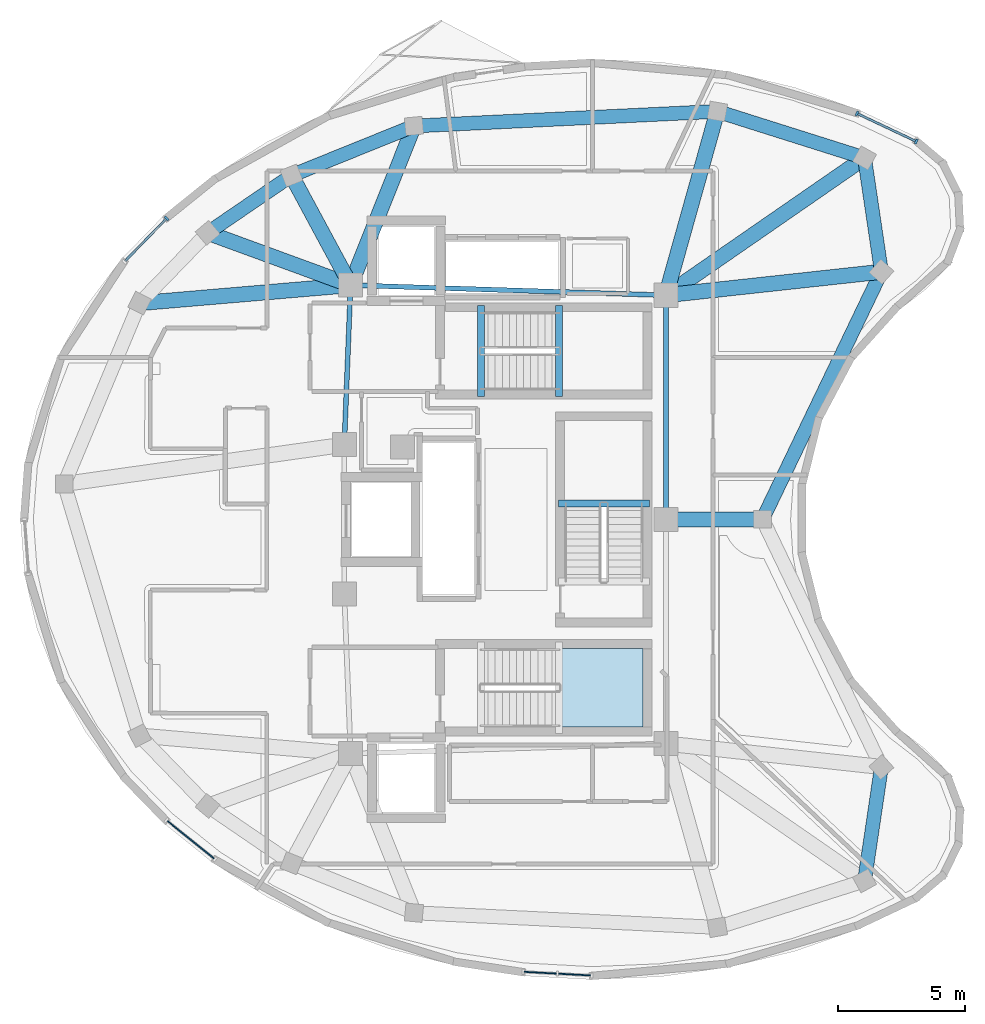
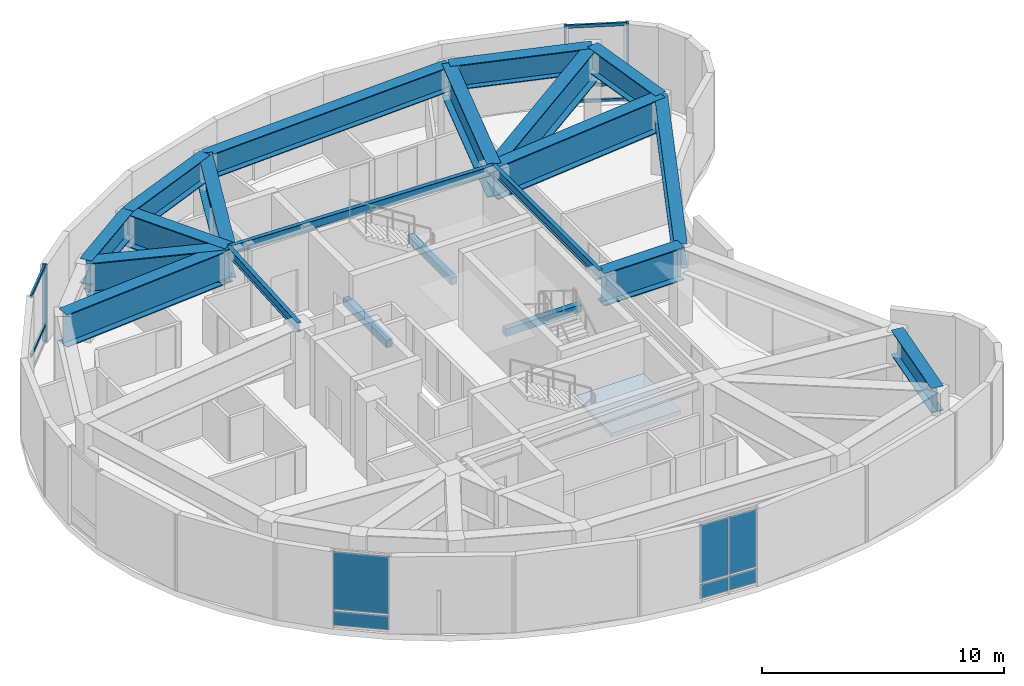
# One storey, part 2 of 8: 21 beams, 8 members, 6 plates, 1 slab, 5 elements without a shape of their own.
"""IFC4 building model written with IfcOpenShell, lengths in metres."""

from ifc_helpers import new_model, si_unit, direction, frame, origin, origin_2d, place, context, subcontext, project, spatial, polyline, rectangle, i_section, outline, extrude, material, layer, layer_set, material_profile, profile_set, type_object, element, aggregate, save


model = new_model("IFC4")

# Units and contexts
model_context = context("Model", 3, precision=1e-05, world=origin(), true_north=direction((0.0, 1.0)))
body_context = subcontext(model_context, "Body", "Model", "MODEL_VIEW")
ifc_project = project(units=[si_unit("LENGTHUNIT", "METRE"), si_unit("AREAUNIT", "SQUARE_METRE"), si_unit("VOLUMEUNIT", "CUBIC_METRE"), si_unit("PLANEANGLEUNIT", "RADIAN"), si_unit("MASSUNIT", "GRAM", prefix="KILO")], contexts=[model_context])

# Site, building, storey
site_placement = place(None, origin())
site = spatial("IfcSite", under=ifc_project, at=site_placement, CompositionType="ELEMENT")
building_placement = place(site_placement, origin())
building = spatial("IfcBuilding", under=site, at=building_placement, Name="Korentha Bioscience Tower", CompositionType="ELEMENT")
storey_placement = place(building_placement, frame((0.0, 0.0, 314.39990234375)))
storey = spatial("IfcBuildingStorey", under=building, at=storey_placement, Name="L72", CompositionType="ELEMENT", Elevation=314.39990234375)

# Beams
ifc_material_1 = material(Name="Concrete C50", Category="concrete")
ifc_material_profile_1 = material_profile(ifc_material_1, rectangle(XDim=0.280029296875, YDim=0.3798828125, at=origin_2d()), Name="Concrete C50")
ifc_profile_set_1 = profile_set([ifc_material_profile_1], Name="Concrete C50 (ST-HB380)")
beam_type_1 = type_object("IfcBeamType", Name="Concrete Stair Header Beam RC 280x380", PredefinedType="BEAM", material=ifc_profile_set_1)
for number, where, z_axis, x_axis, name in (
    (1, (30.25, 31.85009765625, -0.18994140625), (0.0, 1.0, 0.0), (-1.0, 0.0, 0.0), "L72 ST-1 Concrete Stair Header Beam"),
    (2, (33.330078125, 31.85009765625, 1.91015625), (0.0, 1.0, 0.0), (-1.0, 0.0, 0.0), "L72 ST-1 Half-Landing Header Beam 1"),
    (3, (36.89990234375, 27.6298828125, 1.91015625), (-1.0, 0.0, 0.0), (0.0, -1.0, 0.0), "L72 ST-3 Half-Landing Header Beam 1"),
):
    element("IfcBeam", number, at=place(storey_placement, frame(where, z_axis=z_axis, x_axis=x_axis)), inside=storey, type_object=beam_type_1, Name=name, PredefinedType="BEAM", context=body_context, shape_type="SweptSolid", body=[
        extrude(rectangle(XDim=0.280029296875, YDim=0.3798828125, at=origin_2d()), origin(), (0.0, 0.0, 1.0), 3.599853515625),
    ])
ifc_material_2 = material(Name="Steel S355", Category="steel")
ifc_material_profile_2 = material_profile(ifc_material_2, i_section(OverallWidth=0.550048828125, OverallDepth=1.25, WebThickness=0.02392578125, FlangeThickness=0.0400390625, at=origin_2d()), Name="Steel S355")
ifc_profile_set_2 = profile_set([ifc_material_profile_2], Name="Steel S355 (TG-03)")
beam_type_2 = type_object("IfcBeamType", Name="Crown Step Transfer Girder CVS 1250x510", PredefinedType="USERDEFINED", material=ifc_profile_set_2)
beam_1_placement = place(storey_placement, frame((45.393310546875, 41.273681640625, 3.275146484375), z_axis=(-0.953502720539, 0.301384408895, 0.0), x_axis=(-0.301384408895, -0.953502720539, 0.0)))
element("IfcBeam", 4, at=beam_1_placement, inside=storey, type_object=beam_type_2, Name="L72 Perimeter Spandrel Girder 01", ObjectType="TRANSFER_GIRDER", PredefinedType="USERDEFINED", context=body_context, shape_type="SweptSolid", body=[
    extrude(i_section(OverallWidth=0.550048828125, OverallDepth=1.25, WebThickness=0.02392578125, FlangeThickness=0.0400390625, at=origin_2d()), origin(), (0.0, 0.0, 1.0), 6.094970703125),
])
beam_2_placement = place(storey_placement, frame((39.581787109375, 43.110595703125, 3.275146484375), z_axis=(-0.998842480099, -0.04810093502, 0.0), x_axis=(0.04810093502, -0.998842480099, 0.0)))
element("IfcBeam", 5, at=beam_2_placement, inside=storey, type_object=beam_type_2, Name="L72 Perimeter Spandrel Girder 02", ObjectType="TRANSFER_GIRDER", PredefinedType="USERDEFINED", context=body_context, shape_type="SweptSolid", body=[
    extrude(i_section(OverallWidth=0.550048828125, OverallDepth=1.25, WebThickness=0.02392578125, FlangeThickness=0.0400390625, at=origin_2d()), origin(), (0.0, 0.0, 1.0), 11.99365234375),
])
beam_3_placement = place(storey_placement, frame((27.60205078125, 42.53369140625, 3.275146484375), z_axis=(-0.92709518526, -0.374825982913, 0.0), x_axis=(0.374825982913, -0.92709518526, 0.0)))
element("IfcBeam", 6, at=beam_3_placement, inside=storey, type_object=beam_type_2, Name="L72 Perimeter Spandrel Girder 03", ObjectType="TRANSFER_GIRDER", PredefinedType="USERDEFINED", context=body_context, shape_type="SweptSolid", body=[
    extrude(i_section(OverallWidth=0.550048828125, OverallDepth=1.25, WebThickness=0.02392578125, FlangeThickness=0.0400390625, at=origin_2d()), origin(), (0.0, 0.0, 1.0), 5.216064453125),
])
beam_4_placement = place(storey_placement, frame((22.766357421875, 40.57861328125, 3.275146484375), z_axis=(-0.825502824703, -0.564397985828, 0.0), x_axis=(0.564397985828, -0.825502824703, 0.0)))
element("IfcBeam", 7, at=beam_4_placement, inside=storey, type_object=beam_type_2, Name="L72 Perimeter Spandrel Girder 04", ObjectType="TRANSFER_GIRDER", PredefinedType="USERDEFINED", context=body_context, shape_type="SweptSolid", body=[
    extrude(i_section(OverallWidth=0.550048828125, OverallDepth=1.25, WebThickness=0.02392578125, FlangeThickness=0.0400390625, at=origin_2d()), origin(), (0.0, 0.0, 1.0), 4.01025390625),
])
beam_5_placement = place(storey_placement, frame((45.393310546875, 12.726318359375, 3.275146484375), z_axis=(0.146840630252, 0.989160163627, 0.0), x_axis=(-0.989160163627, 0.146840630252, 0.0)))
element("IfcBeam", 8, at=beam_5_placement, inside=storey, type_object=beam_type_2, Name="L72 Perimeter Spandrel Girder 13", ObjectType="TRANSFER_GIRDER", PredefinedType="USERDEFINED", context=body_context, shape_type="SweptSolid", body=[
    extrude(i_section(OverallWidth=0.550048828125, OverallDepth=1.25, WebThickness=0.02392578125, FlangeThickness=0.0400390625, at=origin_2d()), origin(), (0.0, 0.0, 1.0), 4.545654296875),
])
beam_6_placement = place(storey_placement, frame((41.36572265625, 27.0, 3.275146484375), z_axis=(0.432876684637, 0.901453146812, 0.0), x_axis=(-0.901453146812, 0.432876684637, 0.0)))
element("IfcBeam", 9, at=beam_6_placement, inside=storey, type_object=beam_type_2, Name="L72 Perimeter Spandrel Girder 15", ObjectType="TRANSFER_GIRDER", PredefinedType="USERDEFINED", context=body_context, shape_type="SweptSolid", body=[
    extrude(i_section(OverallWidth=0.550048828125, OverallDepth=1.25, WebThickness=0.02392578125, FlangeThickness=0.0400390625, at=origin_2d()), origin(), (0.0, 0.0, 1.0), 10.84619140625),
])
beam_7_placement = place(storey_placement, frame((46.060791015625, 36.77734375, 3.275146484375), z_axis=(-0.146840630252, 0.989160163627, 0.0), x_axis=(-0.989160163627, -0.146840630252, 0.0)))
element("IfcBeam", 10, at=beam_7_placement, inside=storey, type_object=beam_type_2, Name="L72 Perimeter Spandrel Girder 16", ObjectType="TRANSFER_GIRDER", PredefinedType="USERDEFINED", context=body_context, shape_type="SweptSolid", body=[
    extrude(i_section(OverallWidth=0.550048828125, OverallDepth=1.25, WebThickness=0.02392578125, FlangeThickness=0.0400390625, at=origin_2d()), origin(), (0.0, 0.0, 1.0), 4.545654296875),
])
ifc_material_profile_3 = material_profile(ifc_material_2, i_section(OverallWidth=0.60009765625, OverallDepth=1.64990234375, WebThickness=0.02587890625, FlangeThickness=0.0439453125, at=origin_2d()), Name="Steel S355")
ifc_profile_set_3 = profile_set([ifc_material_profile_3], Name="Steel S355 (TG-04)")
beam_type_3 = type_object("IfcBeamType", Name="Deep Setback Transfer Girder CVS 1650x620", PredefinedType="USERDEFINED", material=ifc_profile_set_3)
beam_8_placement = place(storey_placement, frame((37.550048828125, 35.85009765625, 3.0751953125), z_axis=(0.822504520154, 0.56875857297, 0.0), x_axis=(-0.56875857297, 0.822504520154, 0.0)))
element("IfcBeam", 11, at=beam_8_placement, inside=storey, type_object=beam_type_3, Name="L72 Radial Transfer Girder 01", ObjectType="TRANSFER_GIRDER", PredefinedType="USERDEFINED", context=body_context, shape_type="SweptSolid", body=[
    extrude(i_section(OverallWidth=0.60009765625, OverallDepth=1.64990234375, WebThickness=0.02587890625, FlangeThickness=0.0439453125, at=origin_2d()), origin(), (0.0, 0.0, 1.0), 9.535888671875),
])
beam_9_placement = place(storey_placement, frame((37.550048828125, 35.85009765625, 3.0751953125), z_axis=(0.269482185926, 0.963005374579, 0.0), x_axis=(-0.963005374579, 0.269482185926, 0.0)))
element("IfcBeam", 12, at=beam_9_placement, inside=storey, type_object=beam_type_3, Name="L72 Radial Transfer Girder 02", ObjectType="TRANSFER_GIRDER", PredefinedType="USERDEFINED", context=body_context, shape_type="SweptSolid", body=[
    extrude(i_section(OverallWidth=0.60009765625, OverallDepth=1.64990234375, WebThickness=0.02587890625, FlangeThickness=0.0439453125, at=origin_2d()), origin(), (0.0, 0.0, 1.0), 7.539306640625),
])
beam_10_placement = place(storey_placement, frame((25.10009765625, 36.25, 3.0751953125), z_axis=(0.369921439624, 0.929063037962, 0.0), x_axis=(-0.929063037962, 0.369921439624, 0.0)))
element("IfcBeam", 13, at=beam_10_placement, inside=storey, type_object=beam_type_3, Name="L72 Radial Transfer Girder 03", ObjectType="TRANSFER_GIRDER", PredefinedType="USERDEFINED", context=body_context, shape_type="SweptSolid", body=[
    extrude(i_section(OverallWidth=0.60009765625, OverallDepth=1.64990234375, WebThickness=0.02587890625, FlangeThickness=0.0439453125, at=origin_2d()), origin(), (0.0, 0.0, 1.0), 6.763427734375),
])
beam_11_placement = place(storey_placement, frame((25.10009765625, 36.25, 3.0751953125), z_axis=(-0.474564560434, 0.88022069845, 0.0), x_axis=(-0.88022069845, -0.474564560434, 0.0)))
element("IfcBeam", 14, at=beam_11_placement, inside=storey, type_object=beam_type_3, Name="L72 Radial Transfer Girder 04", ObjectType="TRANSFER_GIRDER", PredefinedType="USERDEFINED", context=body_context, shape_type="SweptSolid", body=[
    extrude(i_section(OverallWidth=0.60009765625, OverallDepth=1.64990234375, WebThickness=0.02587890625, FlangeThickness=0.0439453125, at=origin_2d()), origin(), (0.0, 0.0, 1.0), 4.917724609375),
])
beam_12_placement = place(storey_placement, frame((25.10009765625, 36.25, 3.0751953125), z_axis=(-0.9391119825, 0.343611240104, 0.0), x_axis=(-0.343611240104, -0.9391119825, 0.0)))
element("IfcBeam", 15, at=beam_12_placement, inside=storey, type_object=beam_type_3, Name="L72 Radial Transfer Girder 05", ObjectType="TRANSFER_GIRDER", PredefinedType="USERDEFINED", context=body_context, shape_type="SweptSolid", body=[
    extrude(i_section(OverallWidth=0.60009765625, OverallDepth=1.64990234375, WebThickness=0.02587890625, FlangeThickness=0.0439453125, at=origin_2d()), origin(), (0.0, 0.0, 1.0), 6.01025390625),
])
beam_13_placement = place(storey_placement, frame((25.10009765625, 36.25, 3.0751953125), z_axis=(-0.996385295821, -0.084949056921, 0.0), x_axis=(0.084949056921, -0.996385295821, 0.0)))
element("IfcBeam", 16, at=beam_13_placement, inside=storey, type_object=beam_type_3, Name="L72 Radial Transfer Girder 06", ObjectType="TRANSFER_GIRDER", PredefinedType="USERDEFINED", context=body_context, shape_type="SweptSolid", body=[
    extrude(i_section(OverallWidth=0.60009765625, OverallDepth=1.64990234375, WebThickness=0.02587890625, FlangeThickness=0.0439453125, at=origin_2d()), origin(), (0.0, 0.0, 1.0), 8.36328125),
])
beam_14_placement = place(storey_placement, frame((37.550048828125, 27.0, 3.0751953125), z_axis=(1.0, 0.0, 0.0), x_axis=(0.0, 1.0, 0.0)))
element("IfcBeam", 17, at=beam_14_placement, inside=storey, type_object=beam_type_3, Name="L72 Radial Transfer Girder 15", ObjectType="TRANSFER_GIRDER", PredefinedType="USERDEFINED", context=body_context, shape_type="SweptSolid", body=[
    extrude(i_section(OverallWidth=0.60009765625, OverallDepth=1.64990234375, WebThickness=0.02587890625, FlangeThickness=0.0439453125, at=origin_2d()), origin(), (0.0, 0.0, 1.0), 3.815673828125),
])
beam_15_placement = place(storey_placement, frame((37.550048828125, 35.85009765625, 3.0751953125), z_axis=(0.994117259507, 0.108309160975, 0.0), x_axis=(-0.108309160975, 0.994117259507, 0.0)))
element("IfcBeam", 18, at=beam_15_placement, inside=storey, type_object=beam_type_3, Name="L72 Radial Transfer Girder 16", ObjectType="TRANSFER_GIRDER", PredefinedType="USERDEFINED", context=body_context, shape_type="SweptSolid", body=[
    extrude(i_section(OverallWidth=0.60009765625, OverallDepth=1.64990234375, WebThickness=0.02587890625, FlangeThickness=0.0439453125, at=origin_2d()), origin(), (0.0, 0.0, 1.0), 8.56103515625),
])
ifc_material_profile_4 = material_profile(ifc_material_2, i_section(OverallWidth=0.18994140625, OverallDepth=0.45703125, WebThickness=0.009033203125, FlangeThickness=0.014404296875, at=origin_2d()), Name="Steel S355")
ifc_profile_set_4 = profile_set([ifc_material_profile_4], Name="Steel S355 (MB-460)")
beam_type_4 = type_object("IfcBeamType", Name="Mid-Ring Tie Girder W460x74", PredefinedType="BEAM", material=ifc_profile_set_4)
beam_16_placement = place(storey_placement, frame((37.550048828125, 35.85009765625, 3.671630859375), z_axis=(-0.999484526071, 0.032104238723, 0.0), x_axis=(-0.032104238723, -0.999484526071, 0.0)))
element("IfcBeam", 19, at=beam_16_placement, inside=storey, type_object=beam_type_4, Name="L72 Core Ring Tie Girder 01", PredefinedType="BEAM", context=body_context, shape_type="SweptSolid", body=[
    extrude(i_section(OverallWidth=0.18994140625, OverallDepth=0.45703125, WebThickness=0.009033203125, FlangeThickness=0.014404296875, at=origin_2d()), origin(), (0.0, 0.0, 1.0), 12.456298828125),
])
beam_17_placement = place(storey_placement, frame((25.10009765625, 36.25, 3.671630859375), z_axis=(-0.039651025576, -0.999213588864, 0.0), x_axis=(0.999213588864, -0.039651025576, 0.0)))
element("IfcBeam", 20, at=beam_17_placement, inside=storey, type_object=beam_type_4, Name="L72 Core Ring Tie Girder 02", PredefinedType="BEAM", context=body_context, shape_type="SweptSolid", body=[
    extrude(i_section(OverallWidth=0.18994140625, OverallDepth=0.45703125, WebThickness=0.009033203125, FlangeThickness=0.014404296875, at=origin_2d()), origin(), (0.0, 0.0, 1.0), 6.304931640625),
])
beam_18_placement = place(storey_placement, frame((37.550048828125, 27.0, 3.671630859375), z_axis=(0.0, 1.0, 0.0), x_axis=(-1.0, 0.0, 0.0)))
element("IfcBeam", 21, at=beam_18_placement, inside=storey, type_object=beam_type_4, Name="L72 Core Ring Tie Girder 07", PredefinedType="BEAM", context=body_context, shape_type="SweptSolid", body=[
    extrude(i_section(OverallWidth=0.18994140625, OverallDepth=0.45703125, WebThickness=0.009033203125, FlangeThickness=0.014404296875, at=origin_2d()), origin(), (0.0, 0.0, 1.0), 8.85009765625),
])

# Curtain wall, members
ifc_material_3 = material(Name="Structural Silicone Glazed Aluminium", Category="aluminium")
ifc_layer_1 = layer(ifc_material_3, 0.219970703125, Name="Structural Silicone Glazed Aluminium")
ifc_layer_set_1 = layer_set([ifc_layer_1], Name="Structural Silicone Glazed Aluminium (CW-O1)")
curtain_wall_type = type_object("IfcCurtainWallType", Name="Sky Observatory Acoustic Curtain Wall CW-O1", PredefinedType="USERDEFINED", material=ifc_layer_set_1)
curtain_wall_1_placement = place(storey_placement, origin())
curtain_wall_1 = element("IfcCurtainWall", 22, at=curtain_wall_1_placement, inside=storey, type_object=curtain_wall_type, Name="L72 Curtain Wall 01", ObjectType="UNITISED", PredefinedType="USERDEFINED")
ifc_material_4 = material(Name="Anodised Aluminium 6063-T6", Category="aluminium")
ifc_material_profile_5 = material_profile(ifc_material_4, rectangle(XDim=0.090087890625, YDim=0.199951171875, at=origin_2d()), Name="Anodised Aluminium 6063-T6")
ifc_profile_set_5 = profile_set([ifc_material_profile_5], Name="Anodised Aluminium 6063-T6 (CW-MUL)")
member_type_1 = type_object("IfcMemberType", Name="Mullion RECT 90x200", PredefinedType="MULLION", material=ifc_profile_set_5)
member_1_placement = place(storey_placement, frame((47.439697265625, 41.922607421875, 0.0), z_axis=(0.0, 0.0, 1.0), x_axis=(-0.904397382054, 0.426691194347, 0.0)))
member_1 = element("IfcMember", 23, at=member_1_placement, type_object=member_type_1, Name="CW-L72-01 Mullion 1", PredefinedType="MULLION", context=body_context, shape_type="SweptSolid", body=[
    extrude(rectangle(XDim=0.090087890625, YDim=0.199951171875, at=origin_2d()), origin(), (0.0, 0.0, 1.0), 3.900146484375),
])
member_2_placement = place(storey_placement, frame((45.095703125, 43.028564453125, 0.0), z_axis=(0.0, 0.0, 1.0), x_axis=(-0.904397382054, 0.426691194347, 0.0)))
member_2 = element("IfcMember", 24, at=member_2_placement, type_object=member_type_1, Name="CW-L72-01 Mullion 2", PredefinedType="MULLION", context=body_context, shape_type="SweptSolid", body=[
    extrude(rectangle(XDim=0.090087890625, YDim=0.199951171875, at=origin_2d()), origin(), (0.0, 0.0, 1.0), 3.900146484375),
])

# Curtain wall, member
curtain_wall_2_placement = place(storey_placement, origin())
curtain_wall_2 = element("IfcCurtainWall", 25, at=curtain_wall_2_placement, inside=storey, type_object=curtain_wall_type, Name="L72 Curtain Wall 13", ObjectType="UNITISED", PredefinedType="USERDEFINED")
member_3_placement = place(storey_placement, frame((17.836181640625, 38.886474609375, 0.0), z_axis=(0.0, 0.0, 1.0), x_axis=(-0.697567217128, -0.716519349067, 0.0)))
member_3 = element("IfcMember", 26, at=member_3_placement, type_object=member_type_1, Name="CW-L72-13 Mullion 1", PredefinedType="MULLION", context=body_context, shape_type="SweptSolid", body=[
    extrude(rectangle(XDim=0.090087890625, YDim=0.199951171875, at=origin_2d()), origin(), (0.0, 0.0, 1.0), 3.900146484375),
])

# Member
ifc_material_profile_6 = material_profile(ifc_material_4, rectangle(XDim=0.090087890625, YDim=0.159912109375, at=origin_2d()), Name="Anodised Aluminium 6063-T6")
ifc_profile_set_6 = profile_set([ifc_material_profile_6], Name="Anodised Aluminium 6063-T6 (CW-TRN)")
member_type_2 = type_object("IfcMemberType", Name="Transom RECT 90x160", PredefinedType="USERDEFINED", material=ifc_profile_set_6)
member_4_placement = place(storey_placement, frame((47.39892578125, 41.94189453125, 0.045166015625), z_axis=(-0.904402460023, 0.426680431124, 0.0), x_axis=(-0.426680431124, -0.904402460023, 0.0)))
member_4 = element("IfcMember", 27, at=member_4_placement, type_object=member_type_2, Name="CW-L72-01 Bay 1 Transom 1", ObjectType="TRANSOM", PredefinedType="USERDEFINED", context=body_context, shape_type="SweptSolid", body=[
    extrude(rectangle(XDim=0.090087890625, YDim=0.159912109375, at=origin_2d()), origin(), (0.0, 0.0, 1.0), 2.501708984375),
])

member_5_placement = place(storey_placement, frame((47.39892578125, 41.94189453125, 0.85009765625), z_axis=(-0.904402460023, 0.426680431124, 0.0), x_axis=(-0.426680431124, -0.904402460023, 0.0)))
member_5 = element("IfcMember", 28, at=member_5_placement, type_object=member_type_2, Name="CW-L72-01 Bay 1 Transom 2", ObjectType="TRANSOM", PredefinedType="USERDEFINED", context=body_context, shape_type="SweptSolid", body=[
    extrude(rectangle(XDim=0.090087890625, YDim=0.159912109375, at=origin_2d()), origin(), (0.0, 0.0, 1.0), 2.501708984375),
])

member_6_placement = place(storey_placement, frame((47.39892578125, 41.94189453125, 3.85498046875), z_axis=(-0.904402460023, 0.426680431124, 0.0), x_axis=(-0.426680431124, -0.904402460023, 0.0)))
member_6 = element("IfcMember", 29, at=member_6_placement, type_object=member_type_2, Name="CW-L72-01 Bay 1 Transom 3", ObjectType="TRANSOM", PredefinedType="USERDEFINED", context=body_context, shape_type="SweptSolid", body=[
    extrude(rectangle(XDim=0.090087890625, YDim=0.159912109375, at=origin_2d()), origin(), (0.0, 0.0, 1.0), 2.501708984375),
])

aggregate(curtain_wall_1, [member_1, member_2, member_4, member_5, member_6])

member_7_placement = place(storey_placement, frame((17.804931640625, 38.85400390625, 0.85009765625), z_axis=(-0.697563742003, -0.716522732258, 0.0), x_axis=(0.716522732258, -0.697563742003, 0.0)))
member_7 = element("IfcMember", 30, at=member_7_placement, type_object=member_type_2, Name="CW-L72-13 Bay 1 Transom 2", ObjectType="TRANSOM", PredefinedType="USERDEFINED", context=body_context, shape_type="SweptSolid", body=[
    extrude(rectangle(XDim=0.090087890625, YDim=0.159912109375, at=origin_2d()), origin(), (0.0, 0.0, 1.0), 2.304931640625),
])

member_8_placement = place(storey_placement, frame((17.804931640625, 38.85400390625, 3.85498046875), z_axis=(-0.697563742003, -0.716522732258, 0.0), x_axis=(0.716522732258, -0.697563742003, 0.0)))
member_8 = element("IfcMember", 31, at=member_8_placement, type_object=member_type_2, Name="CW-L72-13 Bay 1 Transom 3", ObjectType="TRANSOM", PredefinedType="USERDEFINED", context=body_context, shape_type="SweptSolid", body=[
    extrude(rectangle(XDim=0.090087890625, YDim=0.159912109375, at=origin_2d()), origin(), (0.0, 0.0, 1.0), 2.304931640625),
])

aggregate(curtain_wall_2, [member_3, member_7, member_8])

# Curtain wall, plates
curtain_wall_3_placement = place(storey_placement, origin())
curtain_wall_3 = element("IfcCurtainWall", 32, at=curtain_wall_3_placement, inside=storey, type_object=curtain_wall_type, Name="L72 Curtain Wall 25", ObjectType="UNITISED", PredefinedType="USERDEFINED")
ifc_material_5 = material(Name="Triple-Glazed Low-E Insulated Glass", Category="glass")
ifc_layer_2 = layer(ifc_material_5, 0.0439453125, Name="Triple-Glazed Low-E Insulated Glass")
ifc_layer_set_2 = layer_set([ifc_layer_2], Name="Triple-Glazed Low-E Insulated Glass (GL-44)")
plate_type = type_object("IfcPlateType", Name="Glazed Panel 44mm", PredefinedType="CURTAIN_PANEL", material=ifc_layer_set_2)
plate_1_placement = place(storey_placement, frame((18.787841796875, 14.34814453125, 0.08984375), z_axis=(0.0, 0.0, 1.0), x_axis=(0.778807101094, -0.62726350068, 0.0)))
plate_1 = element("IfcPlate", 33, at=plate_1_placement, type_object=plate_type, Name="CW-L72-25 Bay 1 Glazed Panel 1", PredefinedType="CURTAIN_PANEL", context=body_context, shape_type="SweptSolid", body=[
    extrude(rectangle(XDim=2.37109375, YDim=0.0439453125, at=origin_2d()), origin(), (0.0, 0.0, 1.0), 0.715087890625),
])
plate_2_placement = place(storey_placement, frame((18.787841796875, 14.34814453125, 0.89501953125), z_axis=(0.0, 0.0, 1.0), x_axis=(0.778807101094, -0.62726350068, 0.0)))
plate_2 = element("IfcPlate", 34, at=plate_2_placement, type_object=plate_type, Name="CW-L72-25 Bay 1 Glazed Panel 2", PredefinedType="CURTAIN_PANEL", context=body_context, shape_type="SweptSolid", body=[
    extrude(rectangle(XDim=2.37109375, YDim=0.0439453125, at=origin_2d()), origin(), (0.0, 0.0, 1.0), 2.9150390625),
])
aggregate(curtain_wall_3, [plate_1, plate_2])

curtain_wall_4_placement = place(storey_placement, origin())
curtain_wall_4 = element("IfcCurtainWall", 35, at=curtain_wall_4_placement, inside=storey, type_object=curtain_wall_type, Name="L72 Curtain Wall 31", ObjectType="UNITISED", PredefinedType="USERDEFINED")
plate_3_placement = place(storey_placement, frame((32.58837890625, 9.099365234375, 0.08984375), z_axis=(0.0, 0.0, 1.0), x_axis=(0.998526001182, -0.054275454513, 0.0)))
plate_3 = element("IfcPlate", 36, at=plate_3_placement, type_object=plate_type, Name="CW-L72-31 Bay 1 Glazed Panel 1", PredefinedType="CURTAIN_PANEL", context=body_context, shape_type="SweptSolid", body=[
    extrude(rectangle(XDim=1.27001953125, YDim=0.0439453125, at=origin_2d()), origin(), (0.0, 0.0, 1.0), 0.715087890625),
])
plate_4_placement = place(storey_placement, frame((32.58837890625, 9.099365234375, 0.89501953125), z_axis=(0.0, 0.0, 1.0), x_axis=(0.998526001182, -0.054275454513, 0.0)))
plate_4 = element("IfcPlate", 37, at=plate_4_placement, type_object=plate_type, Name="CW-L72-31 Bay 1 Glazed Panel 2", PredefinedType="CURTAIN_PANEL", context=body_context, shape_type="SweptSolid", body=[
    extrude(rectangle(XDim=1.27001953125, YDim=0.0439453125, at=origin_2d()), origin(), (0.0, 0.0, 1.0), 2.9150390625),
])
plate_5_placement = place(storey_placement, frame((33.9462890625, 9.025390625, 0.08984375), z_axis=(0.0, 0.0, 1.0), x_axis=(0.998526001182, -0.054275454513, 0.0)))
plate_5 = element("IfcPlate", 38, at=plate_5_placement, type_object=plate_type, Name="CW-L72-31 Bay 2 Glazed Panel 1", PredefinedType="CURTAIN_PANEL", context=body_context, shape_type="SweptSolid", body=[
    extrude(rectangle(XDim=1.27001953125, YDim=0.0439453125, at=origin_2d()), origin(), (0.0, 0.0, 1.0), 0.715087890625),
])
plate_6_placement = place(storey_placement, frame((33.9462890625, 9.025390625, 0.89501953125), z_axis=(0.0, 0.0, 1.0), x_axis=(0.998526001182, -0.054275454513, 0.0)))
plate_6 = element("IfcPlate", 39, at=plate_6_placement, type_object=plate_type, Name="CW-L72-31 Bay 2 Glazed Panel 2", PredefinedType="CURTAIN_PANEL", context=body_context, shape_type="SweptSolid", body=[
    extrude(rectangle(XDim=1.27001953125, YDim=0.0439453125, at=origin_2d()), origin(), (0.0, 0.0, 1.0), 2.9150390625),
])
aggregate(curtain_wall_4, [plate_3, plate_4, plate_5, plate_6])

# Stair, slab
ifc_material_6 = material(Name="Precast Concrete C50", Category="concrete")
stair_type = type_object("IfcStairType", Name="Core Exit Dog-Leg Stair 1450", PredefinedType="HALF_TURN_STAIR", material=ifc_material_6)
stair_placement = place(storey_placement, origin())
stair = element("IfcStair", 40, at=stair_placement, inside=storey, type_object=stair_type, Name="L72 Tower South Pressurized Exit Stair ST-2", PredefinedType="HALF_TURN_STAIR")
ifc_layer_3 = layer(ifc_material_1, 0.199951171875, Name="Concrete C50")
ifc_layer_set_3 = layer_set([ifc_layer_3], Name="Concrete C50 (SL-LND)")
slab_type = type_object("IfcSlabType", Name="Landing Slab 200", PredefinedType="LANDING", material=ifc_layer_set_3)
slab_placement = place(storey_placement, frame((0.0, 0.0, 1.900146484375)))
slab = element("IfcSlab", 41, at=slab_placement, type_object=slab_type, Name="ST-2 landing 1", PredefinedType="LANDING", context=body_context, shape_type="SweptSolid", body=[
    extrude(outline(polyline([(33.330078125, 18.800048828125), (36.64990234375, 18.800048828125), (36.64990234375, 21.89990234375), (33.330078125, 21.89990234375), (33.330078125, 18.800048828125)])), origin(), (0.0, 0.0, 1.0), 0.199951171875),
])
aggregate(stair, [slab])

save(model, "model.ifc")
